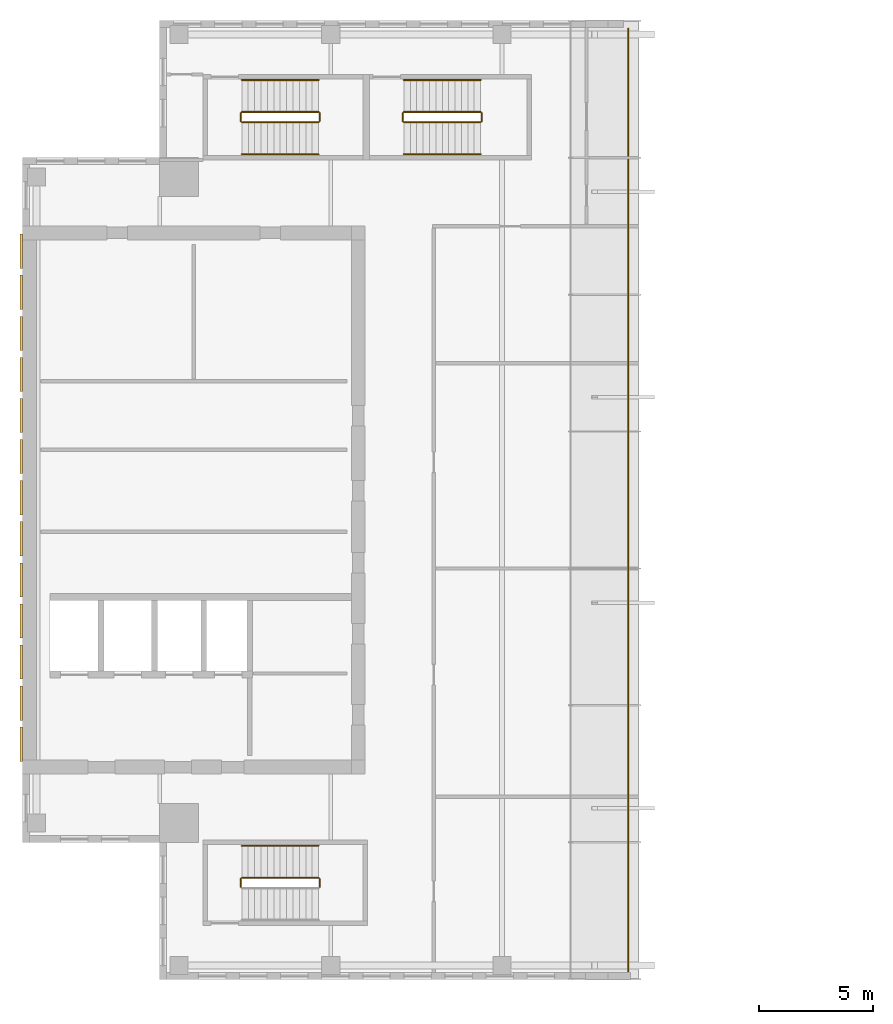
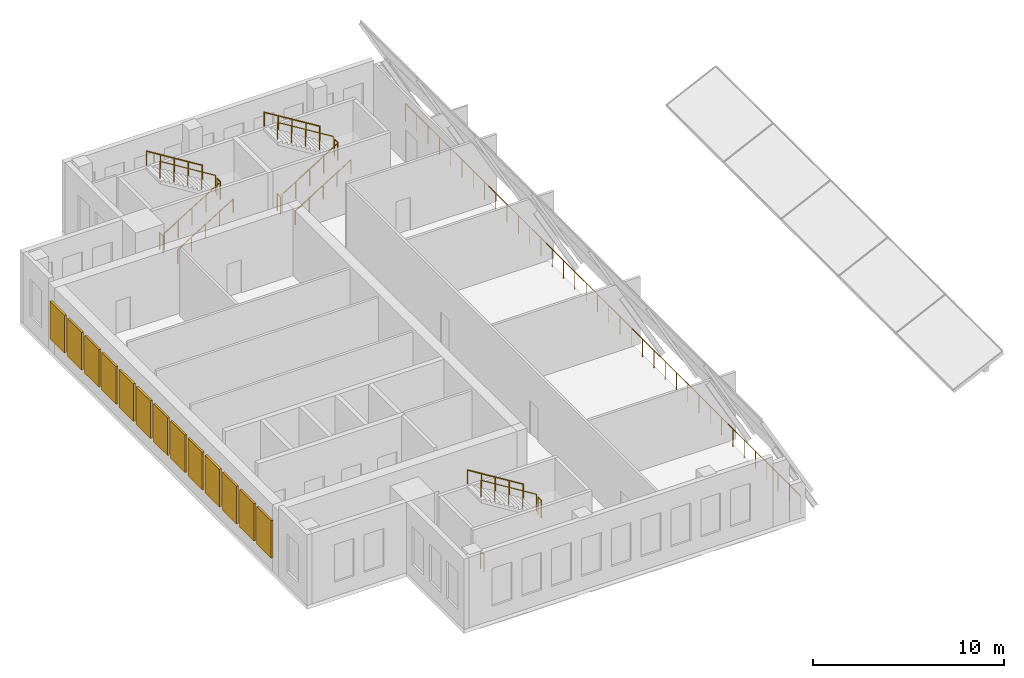
# One storey, part 7 of 7: 23 railings, 13 coverings.
"""IFC4 building model written with IfcOpenShell, lengths in metres."""

import ifcopenshell
import ifcopenshell.guid

model = None  # the IFC model being written
_history = None  # IfcOwnerHistory: only IFC2X3 demands one
_inside = {}  # id of a spatial element -> (the spatial element, [elements in it])
_under = {}  # id of a project, library or spatial element -> (it, [spatial elements below it])
_declared = {}  # id of a project -> (the project, [libraries it declares])
_typed = {}  # id of a type object -> (the type object, [elements of that type])
_made_of = {}  # id of a material, layer set ... -> (it, [elements and type objects made of it])


def new_model(schema):
    """Start an empty IFC model of exactly this schema.

    Asked for "IFC4X3", IfcOpenShell would pick the latest addendum, in which some entities
    have other attributes; the version numbers below select the first issue.
    IFC2X3 requires an IfcOwnerHistory on every rooted entity: one is made here for all.
    """
    global model, _history
    if schema == "IFC4X3":
        model = ifcopenshell.file(schema_version=(4, 3, 0, 0))
    else:
        model = ifcopenshell.file(schema=schema)
    _inside.clear()
    _under.clear()
    _declared.clear()
    _typed.clear()
    _made_of.clear()
    _history = None
    if model.schema == "IFC2X3":
        org = make("IfcOrganization", Name="unknown")
        user = make(
            "IfcPersonAndOrganization",
            ThePerson=make("IfcPerson", FamilyName="unknown"),
            TheOrganization=org,
        )
        app = make(
            "IfcApplication",
            ApplicationDeveloper=org,
            Version="unknown",
            ApplicationFullName="unknown",
            ApplicationIdentifier="unknown",
        )
        _history = make(
            "IfcOwnerHistory",
            OwningUser=user,
            OwningApplication=app,
            ChangeAction="ADDED",
            CreationDate=0,
        )
    return model


def make(cls, **values):
    """One entity of the class cls with the attributes given. An attribute that is None is left unset."""
    return model.create_entity(
        cls, **{name: value for name, value in values.items() if value is not None}
    )


def rooted(cls, **values):
    """An entity with a GlobalId (a new one), such as an element, a storey or a relation."""
    return make(cls, GlobalId=ifcopenshell.guid.new(), OwnerHistory=_history, **values)


def si_unit(unit_type, name, prefix=None):
    """IfcSIUnit, for example si_unit("LENGTHUNIT", "METRE", prefix="MILLI")."""
    return make("IfcSIUnit", UnitType=unit_type, Prefix=prefix, Name=name)


def assignment(units):
    """IfcUnitAssignment: the units of a project."""
    return None if units is None else make("IfcUnitAssignment", Units=units)


def point(xyz):
    """IfcCartesianPoint."""
    return None if xyz is None else make("IfcCartesianPoint", Coordinates=xyz)


def direction(xyz):
    """IfcDirection."""
    return None if xyz is None else make("IfcDirection", DirectionRatios=xyz)


def frame(location, z_axis=None, x_axis=None):
    """IfcAxis2Placement3D, a coordinate frame: its origin and axes. An axis left out is left unset."""
    return make(
        "IfcAxis2Placement3D",
        Location=point(location),
        Axis=direction(z_axis),
        RefDirection=direction(x_axis),
    )


def frame_2d(location, x_axis=None):
    """IfcAxis2Placement2D, a coordinate frame in the plane: its origin and x axis."""
    return make(
        "IfcAxis2Placement2D", Location=point(location), RefDirection=direction(x_axis)
    )


def origin():
    """The frame at (0, 0, 0) with its axes left unset."""
    return frame((0.0, 0.0, 0.0))


def origin_2d():
    """The frame at (0, 0) in the plane with its x axis left unset."""
    return frame_2d((0.0, 0.0))


def place(relative_to, where):
    """IfcLocalPlacement: puts the frame where relative to a parent placement (None: the world)."""
    return make(
        "IfcLocalPlacement", PlacementRelTo=relative_to, RelativePlacement=where
    )


def context(
    kind, dimensions, precision=None, world=None, true_north=None, identifier=None
):
    """IfcGeometricRepresentationContext, for example the 3D "Model" context."""
    return make(
        "IfcGeometricRepresentationContext",
        ContextIdentifier=identifier,
        ContextType=kind,
        CoordinateSpaceDimension=dimensions,
        Precision=precision,
        WorldCoordinateSystem=world,
        TrueNorth=true_north,
    )


def subcontext(parent, identifier, kind, view, scale=None):
    """IfcGeometricRepresentationSubContext, for example "Body" below "Model"."""
    return make(
        "IfcGeometricRepresentationSubContext",
        ContextIdentifier=identifier,
        ContextType=kind,
        ParentContext=parent,
        TargetScale=scale,
        TargetView=view,
    )


def project(units=None, contexts=None):
    """IfcProject with its units and contexts."""
    return rooted(
        "IfcProject",
        Name="project",
        RepresentationContexts=contexts,
        UnitsInContext=assignment(units),
    )


def spatial(cls, under=None, at=None, **own):
    """A site, building, storey or space (cls), placed at a placement, below another one or the project."""
    s = rooted(cls, ObjectPlacement=at, **own)
    if under is not None:
        _under.setdefault(under.id(), (under, []))[1].append(s)
    return s


def profile(cls, at=None, kind="AREA", **sizes):
    """A parametric profile (cls). Its sizes go by their IFC names, for example OverallWidth=200.0."""
    return make(cls, ProfileType=kind, Position=at, **sizes)


def rectangle(**sizes):
    """IfcRectangleProfileDef."""
    return profile("IfcRectangleProfileDef", **sizes)


def circle(**sizes):
    """IfcCircleProfileDef."""
    return profile("IfcCircleProfileDef", **sizes)


def extrude(swept, where, along, depth):
    """IfcExtrudedAreaSolid: the profile swept, set in the frame where, extruded along a direction by depth."""
    return make(
        "IfcExtrudedAreaSolid",
        SweptArea=swept,
        Position=where,
        ExtrudedDirection=direction(along),
        Depth=depth,
    )


def shape(context_of_items, identifier, shape_type, items):
    """IfcShapeRepresentation: the items that make up one representation, for example the "Body"."""
    return make(
        "IfcShapeRepresentation",
        ContextOfItems=context_of_items,
        RepresentationIdentifier=identifier,
        RepresentationType=shape_type,
        Items=items,
    )


def source(mapping_origin, context_of_items, identifier, shape_type, items):
    """IfcRepresentationMap: a shape defined once, which mapped items show again and again."""
    return make(
        "IfcRepresentationMap",
        MappingOrigin=mapping_origin,
        MappedRepresentation=shape(context_of_items, identifier, shape_type, items),
    )


def transform(
    local_origin,
    x_axis=None,
    y_axis=None,
    z_axis=None,
    scale=None,
    scale2=None,
    scale3=None,
    uniform=True,
):
    """IfcCartesianTransformationOperator3D, or its non-uniform kind. x_axis, y_axis, z_axis: its Axis1, 2, 3."""
    if uniform:
        return make(
            "IfcCartesianTransformationOperator3D",
            Axis1=direction(x_axis),
            Axis2=direction(y_axis),
            LocalOrigin=point(local_origin),
            Scale=scale,
            Axis3=direction(z_axis),
        )
    return make(
        "IfcCartesianTransformationOperator3DnonUniform",
        Axis1=direction(x_axis),
        Axis2=direction(y_axis),
        LocalOrigin=point(local_origin),
        Scale=scale,
        Axis3=direction(z_axis),
        Scale2=scale2,
        Scale3=scale3,
    )


def mapped(mapping_source, mapping_target):
    """IfcMappedItem: shows the shape of a source again, moved by a transform."""
    return make(
        "IfcMappedItem", MappingSource=mapping_source, MappingTarget=mapping_target
    )


def material(Name=None, Category=None):
    """IfcMaterial."""
    return make("IfcMaterial", Name=Name, Category=Category)


def layer(
    of_material, thickness, ventilated=None, Name=None, Category=None, Priority=None
):
    """IfcMaterialLayer: one layer of a wall or slab, of a material (None: an air gap)."""
    return make(
        "IfcMaterialLayer",
        Material=of_material,
        LayerThickness=thickness,
        IsVentilated=ventilated,
        Name=Name,
        Category=Category,
        Priority=Priority,
    )


def layer_set(layers, Name=None):
    """IfcMaterialLayerSet."""
    return make("IfcMaterialLayerSet", MaterialLayers=layers, LayerSetName=Name)


def made_of(thing, what):
    """Note that an element or type object is made of a material, layer set ...; save() writes the relation."""
    if what is not None:
        _made_of.setdefault(what.id(), (what, []))[1].append(thing)
    return thing


def type_object(cls, material=None, **own):
    """A type object (cls), such as IfcWallType, which elements share."""
    return made_of(rooted(cls, **own), material)


def element(
    cls,
    number,
    at=None,
    inside=None,
    cuts=None,
    type_object=None,
    material=None,
    context=None,
    identifier="Body",
    shape_type=None,
    held_by="IfcProductDefinitionShape",
    body=None,
    shapes=None,
    **own,
):
    """One element of the class cls, such as IfcWall. Its Tag is "e" and its number.

    at: its placement. inside: the storey or other place that contains it. cuts: it is an
    opening in that element (IfcRelVoidsElement). A single representation is given by context,
    identifier, shape_type and body (its items); several are given by shapes. held_by: the class
    of the entity that holds the representations. save() writes the other relations.
    """
    e = rooted(cls, Tag="e%d" % number, ObjectPlacement=at, **own)
    if body is not None:
        shapes = [shape(context, identifier, shape_type, body)]
    if shapes is not None:
        e.Representation = make(held_by, Representations=shapes)
    if inside is not None:
        _inside.setdefault(inside.id(), (inside, []))[1].append(e)
    if cuts is not None:
        rooted(
            "IfcRelVoidsElement", RelatingBuildingElement=cuts, RelatedOpeningElement=e
        )
    if type_object is not None:
        _typed.setdefault(type_object.id(), (type_object, []))[1].append(e)
    return made_of(e, material)


def aggregate(whole, parts):
    """IfcRelAggregates: a whole, such as a stair, and the parts it consists of."""
    return rooted("IfcRelAggregates", RelatingObject=whole, RelatedObjects=parts)


def save(model, path):
    """Write the relations noted so far, then the file.

    IfcRelAggregates (storeys below a building ...), IfcRelContainedInSpatialStructure (elements
    in a storey), IfcRelDefinesByType, IfcRelAssociatesMaterial and IfcRelDeclares: one each for
    every whole, place, type object, material and project.
    """
    for whole, parts in _under.values():
        aggregate(whole, parts)
    for where, things in _inside.values():
        rooted(
            "IfcRelContainedInSpatialStructure",
            RelatedElements=things,
            RelatingStructure=where,
        )
    for kind, things in _typed.values():
        rooted("IfcRelDefinesByType", RelatedObjects=things, RelatingType=kind)
    for what, things in _made_of.values():
        rooted("IfcRelAssociatesMaterial", RelatedObjects=things, RelatingMaterial=what)
    for by, libraries in _declared.values():
        rooted("IfcRelDeclares", RelatingContext=by, RelatedDefinitions=libraries)
    model.write(path)


model = new_model("IFC4")

# Units and contexts
model_context = context("Model", 3, precision=1e-05, world=origin(), true_north=direction((0.0, 1.0)))
body_context = subcontext(model_context, "Body", "Model", "MODEL_VIEW")
ifc_project = project(units=[si_unit("LENGTHUNIT", "METRE"), si_unit("AREAUNIT", "SQUARE_METRE"), si_unit("VOLUMEUNIT", "CUBIC_METRE"), si_unit("PLANEANGLEUNIT", "RADIAN"), si_unit("MASSUNIT", "GRAM", prefix="KILO")], contexts=[model_context])

# Site, building, storey
site_placement = place(None, origin())
site = spatial("IfcSite", under=ifc_project, at=site_placement, CompositionType="ELEMENT")
building_placement = place(site_placement, origin())
building = spatial("IfcBuilding", under=site, at=building_placement, Name="Khomas Fold Tower", CompositionType="ELEMENT")
storey_placement = place(building_placement, frame((0.0, 0.0, 339.199951171875)))
storey = spatial("IfcBuildingStorey", under=building, at=storey_placement, Name="C3", CompositionType="ELEMENT", Elevation=339.199951171875)

# Coverings
ifc_material_1 = material(Name="Aluminium louvre", Category="aluminium")
ifc_layer = layer(ifc_material_1, 0.1201171875)
ifc_layer_set = layer_set([ifc_layer], Name="Aluminium louvre")
covering_type = type_object("IfcCoveringType", Name="Crown louvre screen CR-LS", PredefinedType="CLADDING", material=ifc_layer_set)
shared_shape_1 = source(origin(), body_context, "Body", "SweptSolid", [
    extrude(rectangle(XDim=1.5, YDim=0.1201171875, at=origin_2d()), origin(), (0.0, 0.0, 1.0), 2.39990234375),
])
for number, where, z_axis, x_axis, name in (
    (1, (5.93994140625, 37.900146484375, 0.900146484375), (0.0, 0.0, 1.0), (0.0, -1.0, 0.0), "Crown louvre screen"),
    (2, (5.93994140625, 36.10009765625, 0.900146484375), (0.0, 0.0, 1.0), (0.0, -1.0, 0.0), "Crown louvre screen"),
    (3, (5.93994140625, 34.300048828125, 0.900146484375), (0.0, 0.0, 1.0), (0.0, -1.0, 0.0), "Crown louvre screen"),
    (4, (5.93994140625, 32.5, 0.900146484375), (0.0, 0.0, 1.0), (0.0, -1.0, 0.0), "Crown louvre screen"),
    (5, (5.93994140625, 30.7001953125, 0.900146484375), (0.0, 0.0, 1.0), (0.0, -1.0, 0.0), "Crown louvre screen"),
    (6, (5.93994140625, 28.900146484375, 0.900146484375), (0.0, 0.0, 1.0), (0.0, -1.0, 0.0), "Crown louvre screen"),
    (7, (5.93994140625, 27.10009765625, 0.900146484375), (0.0, 0.0, 1.0), (0.0, -1.0, 0.0), "Crown louvre screen"),
    (8, (5.93994140625, 25.300048828125, 0.900146484375), (0.0, 0.0, 1.0), (0.0, -1.0, 0.0), "Crown louvre screen"),
    (9, (5.93994140625, 23.5, 0.900146484375), (0.0, 0.0, 1.0), (0.0, -1.0, 0.0), "Crown louvre screen"),
    (10, (5.93994140625, 21.7001953125, 0.900146484375), (0.0, 0.0, 1.0), (0.0, -1.0, 0.0), "Crown louvre screen"),
    (11, (5.93994140625, 19.900146484375, 0.900146484375), (0.0, 0.0, 1.0), (0.0, -1.0, 0.0), "Crown louvre screen"),
    (12, (5.93994140625, 18.10009765625, 0.900146484375), (0.0, 0.0, 1.0), (0.0, -1.0, 0.0), "Crown louvre screen"),
    (13, (5.93994140625, 16.300048828125, 0.900146484375), (0.0, 0.0, 1.0), (0.0, -1.0, 0.0), "Crown louvre screen"),
):
    element("IfcCovering", number, at=place(storey_placement, frame(where, z_axis=z_axis, x_axis=x_axis)), inside=storey, type_object=covering_type, Name=name, PredefinedType="CLADDING", context=body_context, shape_type="MappedRepresentation", body=[
        mapped(shared_shape_1, transform((0.0, 0.0, 0.0))),
    ])

# Railings
ifc_material_2 = material(Name="Powder-coated steel", Category="steel")
railing_type_1 = type_object("IfcRailingType", Name="Balcony guard", PredefinedType="GUARDRAIL", material=ifc_material_2)
shared_shape_2 = source(origin(), body_context, "Body", "SweptSolid", [
    extrude(circle(Radius=0.02490234375, at=origin_2d()), frame((0.0, 0.0, 1.125), z_axis=(0.0, 1.0, 0.0), x_axis=(-1.0, 0.0, 0.0)), (0.0, 0.0, 1.0), 5.89990234375),
    extrude(circle(Radius=0.02001953125, at=origin_2d()), origin(), (0.0, 0.0, 1.0), 1.099853515625),
    extrude(circle(Radius=0.02001953125, at=origin_2d()), frame((0.0, 1.179931640625, 0.0)), (0.0, 0.0, 1.0), 1.099853515625),
    extrude(circle(Radius=0.02001953125, at=origin_2d()), frame((0.0, 2.35986328125, 0.0)), (0.0, 0.0, 1.0), 1.099853515625),
    extrude(circle(Radius=0.02001953125, at=origin_2d()), frame((0.0, 3.5400390625, 0.0)), (0.0, 0.0, 1.0), 1.099853515625),
    extrude(circle(Radius=0.02001953125, at=origin_2d()), frame((0.0, 4.719970703125, 0.0)), (0.0, 0.0, 1.0), 1.099853515625),
    extrude(circle(Radius=0.02001953125, at=origin_2d()), frame((0.0, 5.89990234375, 0.0)), (0.0, 0.0, 1.0), 1.099853515625),
])
for number, where, name in (
    (14, (32.526611328125, 6.35009765625, 0.0), "GUARD 231"),
    (15, (32.526611328125, 12.25, 0.0), "GUARD 231"),
    (16, (32.526611328125, 24.050048828125, 0.0), "GUARD 231"),
    (17, (32.526611328125, 35.85009765625, 0.0), "GUARD 231"),
    (18, (32.526611328125, 41.75, 0.0), "GUARD 231"),
):
    element("IfcRailing", number, at=place(storey_placement, frame(where)), inside=storey, type_object=railing_type_1, Name=name, PredefinedType="GUARDRAIL", context=body_context, shape_type="MappedRepresentation", body=[
        mapped(shared_shape_2, transform((0.0, 0.0, 0.0))),
    ])
shared_shape_3 = source(origin(), body_context, "Body", "SweptSolid", [
    extrude(circle(Radius=0.02490234375, at=origin_2d()), frame((0.0, 0.0, 1.125), z_axis=(0.0, 1.0, 0.0), x_axis=(-1.0, 0.0, 0.0)), (0.0, 0.0, 1.0), 5.900146484375),
    extrude(circle(Radius=0.02001953125, at=origin_2d()), origin(), (0.0, 0.0, 1.0), 1.099853515625),
    extrude(circle(Radius=0.02001953125, at=origin_2d()), frame((0.0, 1.179931640625, 0.0)), (0.0, 0.0, 1.0), 1.099853515625),
    extrude(circle(Radius=0.02001953125, at=origin_2d()), frame((0.0, 2.360107421875, 0.0)), (0.0, 0.0, 1.0), 1.099853515625),
    extrude(circle(Radius=0.02001953125, at=origin_2d()), frame((0.0, 3.5400390625, 0.0)), (0.0, 0.0, 1.0), 1.099853515625),
    extrude(circle(Radius=0.02001953125, at=origin_2d()), frame((0.0, 4.72021484375, 0.0)), (0.0, 0.0, 1.0), 1.099853515625),
    extrude(circle(Radius=0.02001953125, at=origin_2d()), frame((0.0, 5.900146484375, 0.0)), (0.0, 0.0, 1.0), 1.099853515625),
])
for number, where, name in (
    (19, (32.526611328125, 18.14990234375, 0.0), "GUARD 231"),
    (20, (32.526611328125, 29.949951171875, 0.0), "GUARD 231"),
):
    element("IfcRailing", number, at=place(storey_placement, frame(where)), inside=storey, type_object=railing_type_1, Name=name, PredefinedType="GUARDRAIL", context=body_context, shape_type="MappedRepresentation", body=[
        mapped(shared_shape_3, transform((0.0, 0.0, 0.0))),
    ])
ifc_material_3 = material(Name="Steel balustrade", Category="steel")
railing_type_2 = type_object("IfcRailingType", Name="Stair guard", PredefinedType="GUARDRAIL", material=ifc_material_3)
shared_shape_4 = source(origin(), body_context, "Body", "SweptSolid", [
    extrude(circle(Radius=0.02392578125, at=origin_2d()), frame((0.0, 0.0, 1.076171875), z_axis=(0.850606129759, 0.0, 0.525803396734), x_axis=(0.0, 1.0, 0.0)), (0.0, 0.0, 1.0), 3.949951171875),
    extrude(circle(Radius=0.02099609375, at=origin_2d()), origin(), (0.0, 0.0, 1.0), 1.052001953125),
    extrude(circle(Radius=0.02099609375, at=origin_2d()), frame((0.83984375, 0.0, 0.519287109375)), (0.0, 0.0, 1.0), 1.052001953125),
    extrude(circle(Radius=0.02099609375, at=origin_2d()), frame((1.679931640625, 0.0, 1.03857421875)), (0.0, 0.0, 1.0), 1.052001953125),
    extrude(circle(Radius=0.02099609375, at=origin_2d()), frame((2.52001953125, 0.0, 1.5576171875)), (0.0, 0.0, 1.0), 1.052001953125),
    extrude(circle(Radius=0.02099609375, at=origin_2d()), frame((3.35986328125, 0.0, 2.076904296875)), (0.0, 0.0, 1.0), 1.052001953125),
])
railing_1_placement = place(storey_placement, frame((15.60009765625, 43.550048828125, 0.173095703125)))
element("IfcRailing", 21, at=railing_1_placement, inside=storey, type_object=railing_type_2, Name="C3 ST1 stair guard 1", PredefinedType="GUARDRAIL", context=body_context, shape_type="MappedRepresentation", body=[
    mapped(shared_shape_4, transform((0.0, 0.0, 0.0))),
])
shared_shape_5 = source(origin(), body_context, "Body", "SweptSolid", [
    extrude(circle(Radius=0.02392578125, at=origin_2d()), frame((0.0, 0.0, 1.076171875), z_axis=(0.0, 1.0, 0.0), x_axis=(-1.0, 0.0, 0.0)), (0.0, 0.0, 1.0), 0.349853515625),
    extrude(circle(Radius=0.02099609375, at=origin_2d()), origin(), (0.0, 0.0, 1.0), 1.052001953125),
    extrude(circle(Radius=0.02099609375, at=origin_2d()), frame((0.0, 0.349853515625, 0.0)), (0.0, 0.0, 1.0), 1.052001953125),
])
for number, where, name in (
    (22, (19.010009765625, 43.60009765625, 2.25), "C3 ST1 stair guard 2"),
    (23, (15.550048828125, 43.60009765625, 0.0), "C3 ST1 stair guard 4"),
    (24, (19.010009765625, 10.050048828125, 2.25), "C3 ST2 stair guard 2"),
    (25, (15.550048828125, 10.050048828125, 0.0), "C3 ST2 stair guard 4"),
    (26, (26.110107421875, 43.60009765625, 2.25), "C3 ST3 stair guard 2"),
    (27, (22.64990234375, 43.60009765625, 0.0), "C3 ST3 stair guard 4"),
):
    element("IfcRailing", number, at=place(storey_placement, frame(where)), inside=storey, type_object=railing_type_2, Name=name, PredefinedType="GUARDRAIL", context=body_context, shape_type="MappedRepresentation", body=[
        mapped(shared_shape_5, transform((0.0, 0.0, 0.0))),
    ])
shared_shape_6 = source(origin(), body_context, "Body", "SweptSolid", [
    extrude(circle(Radius=0.02392578125, at=origin_2d()), frame((0.0, 0.0, 1.076171875), z_axis=(-0.850606129759, 0.0, 0.525803396734), x_axis=(0.0, -1.0, 0.0)), (0.0, 0.0, 1.0), 3.949951171875),
    extrude(circle(Radius=0.02099609375, at=origin_2d()), origin(), (0.0, 0.0, 1.0), 1.052001953125),
    extrude(circle(Radius=0.02099609375, at=origin_2d()), frame((-0.83984375, 0.0, 0.519287109375)), (0.0, 0.0, 1.0), 1.052001953125),
    extrude(circle(Radius=0.02099609375, at=origin_2d()), frame((-1.679931640625, 0.0, 1.03857421875)), (0.0, 0.0, 1.0), 1.052001953125),
    extrude(circle(Radius=0.02099609375, at=origin_2d()), frame((-2.52001953125, 0.0, 1.5576171875)), (0.0, 0.0, 1.0), 1.052001953125),
    extrude(circle(Radius=0.02099609375, at=origin_2d()), frame((-3.35986328125, 0.0, 2.076904296875)), (0.0, 0.0, 1.0), 1.052001953125),
])
for number, where, name in (
    (28, (18.9599609375, 44.0, 2.423095703125), "C3 ST1 stair guard 3"),
    (29, (18.9599609375, 10.449951171875, 2.423095703125), "C3 ST2 stair guard 3"),
):
    element("IfcRailing", number, at=place(storey_placement, frame(where)), inside=storey, type_object=railing_type_2, Name=name, PredefinedType="GUARDRAIL", context=body_context, shape_type="MappedRepresentation", body=[
        mapped(shared_shape_6, transform((0.0, 0.0, 0.0))),
    ])
ifc_material_4 = material(Name="Steel handrail", Category="steel")
railing_type_3 = type_object("IfcRailingType", Name="Stair handrail", PredefinedType="HANDRAIL", material=ifc_material_4)
shared_shape_7 = source(origin(), body_context, "Body", "SweptSolid", [
    extrude(circle(Radius=0.02392578125, at=origin_2d()), frame((0.0, 0.0, 0.8759765625), z_axis=(0.850606129759, 0.0, 0.525803396734), x_axis=(0.0, 1.0, 0.0)), (0.0, 0.0, 1.0), 3.949951171875),
    extrude(circle(Radius=0.02099609375, at=origin_2d()), origin(), (0.0, 0.0, 1.0), 0.851806640625),
    extrude(circle(Radius=0.02099609375, at=origin_2d()), frame((0.83984375, 0.0, 0.519287109375)), (0.0, 0.0, 1.0), 0.851806640625),
    extrude(circle(Radius=0.02099609375, at=origin_2d()), frame((1.679931640625, 0.0, 1.03857421875)), (0.0, 0.0, 1.0), 0.851806640625),
    extrude(circle(Radius=0.02099609375, at=origin_2d()), frame((2.52001953125, 0.0, 1.5576171875)), (0.0, 0.0, 1.0), 0.851806640625),
    extrude(circle(Radius=0.02099609375, at=origin_2d()), frame((3.35986328125, 0.0, 2.076904296875)), (0.0, 0.0, 1.0), 0.851806640625),
])
railing_2_placement = place(storey_placement, frame((15.60009765625, 42.14990234375, 0.173095703125)))
element("IfcRailing", 30, at=railing_2_placement, inside=storey, type_object=railing_type_3, Name="C3 ST1 stair handrail 1", PredefinedType="HANDRAIL", context=body_context, shape_type="MappedRepresentation", body=[
    mapped(shared_shape_7, transform((0.0, 0.0, 0.0))),
])
shared_shape_8 = source(origin(), body_context, "Body", "SweptSolid", [
    extrude(circle(Radius=0.02392578125, at=origin_2d()), frame((0.0, 0.0, 0.8759765625), z_axis=(-0.850606129759, 0.0, 0.525803396734), x_axis=(0.0, -1.0, 0.0)), (0.0, 0.0, 1.0), 3.949951171875),
    extrude(circle(Radius=0.02099609375, at=origin_2d()), origin(), (0.0, 0.0, 1.0), 0.851806640625),
    extrude(circle(Radius=0.02099609375, at=origin_2d()), frame((-0.83984375, 0.0, 0.519287109375)), (0.0, 0.0, 1.0), 0.851806640625),
    extrude(circle(Radius=0.02099609375, at=origin_2d()), frame((-1.679931640625, 0.0, 1.03857421875)), (0.0, 0.0, 1.0), 0.851806640625),
    extrude(circle(Radius=0.02099609375, at=origin_2d()), frame((-2.52001953125, 0.0, 1.5576171875)), (0.0, 0.0, 1.0), 0.851806640625),
    extrude(circle(Radius=0.02099609375, at=origin_2d()), frame((-3.35986328125, 0.0, 2.076904296875)), (0.0, 0.0, 1.0), 0.851806640625),
])
for number, where, name in (
    (31, (18.9599609375, 45.39990234375, 2.423095703125), "C3 ST1 stair handrail 2"),
    (32, (18.9599609375, 11.85009765625, 2.423095703125), "C3 ST2 stair handrail 2"),
):
    element("IfcRailing", number, at=place(storey_placement, frame(where)), inside=storey, type_object=railing_type_3, Name=name, PredefinedType="HANDRAIL", context=body_context, shape_type="MappedRepresentation", body=[
        mapped(shared_shape_8, transform((0.0, 0.0, 0.0))),
    ])
shared_shape_9 = source(origin(), body_context, "Body", "SweptSolid", [
    extrude(circle(Radius=0.02392578125, at=origin_2d()), frame((0.0, 0.0, 1.076171875), z_axis=(0.850623216509, 0.0, 0.525775754039), x_axis=(0.0, 1.0, 0.0)), (0.0, 0.0, 1.0), 3.9501953125),
    extrude(circle(Radius=0.02099609375, at=origin_2d()), origin(), (0.0, 0.0, 1.0), 1.052001953125),
    extrude(circle(Radius=0.02099609375, at=origin_2d()), frame((0.840087890625, 0.0, 0.519287109375)), (0.0, 0.0, 1.0), 1.052001953125),
    extrude(circle(Radius=0.02099609375, at=origin_2d()), frame((1.68017578125, 0.0, 1.03857421875)), (0.0, 0.0, 1.0), 1.052001953125),
    extrude(circle(Radius=0.02099609375, at=origin_2d()), frame((2.52001953125, 0.0, 1.5576171875)), (0.0, 0.0, 1.0), 1.052001953125),
    extrude(circle(Radius=0.02099609375, at=origin_2d()), frame((3.360107421875, 0.0, 2.076904296875)), (0.0, 0.0, 1.0), 1.052001953125),
])
railing_3_placement = place(storey_placement, frame((22.699951171875, 43.550048828125, 0.173095703125)))
element("IfcRailing", 33, at=railing_3_placement, inside=storey, type_object=railing_type_2, Name="C3 ST3 stair guard 1", PredefinedType="GUARDRAIL", context=body_context, shape_type="MappedRepresentation", body=[
    mapped(shared_shape_9, transform((0.0, 0.0, 0.0))),
])
shared_shape_10 = source(origin(), body_context, "Body", "SweptSolid", [
    extrude(circle(Radius=0.02392578125, at=origin_2d()), frame((0.0, 0.0, 1.076171875), z_axis=(-0.850623216509, 0.0, 0.525775754039), x_axis=(0.0, -1.0, 0.0)), (0.0, 0.0, 1.0), 3.9501953125),
    extrude(circle(Radius=0.02099609375, at=origin_2d()), origin(), (0.0, 0.0, 1.0), 1.052001953125),
    extrude(circle(Radius=0.02099609375, at=origin_2d()), frame((-0.840087890625, 0.0, 0.519287109375)), (0.0, 0.0, 1.0), 1.052001953125),
    extrude(circle(Radius=0.02099609375, at=origin_2d()), frame((-1.68017578125, 0.0, 1.03857421875)), (0.0, 0.0, 1.0), 1.052001953125),
    extrude(circle(Radius=0.02099609375, at=origin_2d()), frame((-2.52001953125, 0.0, 1.5576171875)), (0.0, 0.0, 1.0), 1.052001953125),
    extrude(circle(Radius=0.02099609375, at=origin_2d()), frame((-3.360107421875, 0.0, 2.076904296875)), (0.0, 0.0, 1.0), 1.052001953125),
])
railing_4_placement = place(storey_placement, frame((26.06005859375, 44.0, 2.423095703125)))
element("IfcRailing", 34, at=railing_4_placement, inside=storey, type_object=railing_type_2, Name="C3 ST3 stair guard 3", PredefinedType="GUARDRAIL", context=body_context, shape_type="MappedRepresentation", body=[
    mapped(shared_shape_10, transform((0.0, 0.0, 0.0))),
])
shared_shape_11 = source(origin(), body_context, "Body", "SweptSolid", [
    extrude(circle(Radius=0.02392578125, at=origin_2d()), frame((0.0, 0.0, 0.8759765625), z_axis=(0.850623216509, 0.0, 0.525775754039), x_axis=(0.0, 1.0, 0.0)), (0.0, 0.0, 1.0), 3.9501953125),
    extrude(circle(Radius=0.02099609375, at=origin_2d()), origin(), (0.0, 0.0, 1.0), 0.851806640625),
    extrude(circle(Radius=0.02099609375, at=origin_2d()), frame((0.840087890625, 0.0, 0.519287109375)), (0.0, 0.0, 1.0), 0.851806640625),
    extrude(circle(Radius=0.02099609375, at=origin_2d()), frame((1.68017578125, 0.0, 1.03857421875)), (0.0, 0.0, 1.0), 0.851806640625),
    extrude(circle(Radius=0.02099609375, at=origin_2d()), frame((2.52001953125, 0.0, 1.5576171875)), (0.0, 0.0, 1.0), 0.851806640625),
    extrude(circle(Radius=0.02099609375, at=origin_2d()), frame((3.360107421875, 0.0, 2.076904296875)), (0.0, 0.0, 1.0), 0.851806640625),
])
railing_5_placement = place(storey_placement, frame((22.699951171875, 42.14990234375, 0.173095703125)))
element("IfcRailing", 35, at=railing_5_placement, inside=storey, type_object=railing_type_3, Name="C3 ST3 stair handrail 1", PredefinedType="HANDRAIL", context=body_context, shape_type="MappedRepresentation", body=[
    mapped(shared_shape_11, transform((0.0, 0.0, 0.0))),
])
shared_shape_12 = source(origin(), body_context, "Body", "SweptSolid", [
    extrude(circle(Radius=0.02392578125, at=origin_2d()), frame((0.0, 0.0, 0.8759765625), z_axis=(-0.850623216509, 0.0, 0.525775754039), x_axis=(0.0, -1.0, 0.0)), (0.0, 0.0, 1.0), 3.9501953125),
    extrude(circle(Radius=0.02099609375, at=origin_2d()), origin(), (0.0, 0.0, 1.0), 0.851806640625),
    extrude(circle(Radius=0.02099609375, at=origin_2d()), frame((-0.840087890625, 0.0, 0.519287109375)), (0.0, 0.0, 1.0), 0.851806640625),
    extrude(circle(Radius=0.02099609375, at=origin_2d()), frame((-1.68017578125, 0.0, 1.03857421875)), (0.0, 0.0, 1.0), 0.851806640625),
    extrude(circle(Radius=0.02099609375, at=origin_2d()), frame((-2.52001953125, 0.0, 1.5576171875)), (0.0, 0.0, 1.0), 0.851806640625),
    extrude(circle(Radius=0.02099609375, at=origin_2d()), frame((-3.360107421875, 0.0, 2.076904296875)), (0.0, 0.0, 1.0), 0.851806640625),
])
railing_6_placement = place(storey_placement, frame((26.06005859375, 45.39990234375, 2.423095703125)))
element("IfcRailing", 36, at=railing_6_placement, inside=storey, type_object=railing_type_3, Name="C3 ST3 stair handrail 2", PredefinedType="HANDRAIL", context=body_context, shape_type="MappedRepresentation", body=[
    mapped(shared_shape_12, transform((0.0, 0.0, 0.0))),
])

save(model, "model.ifc")
